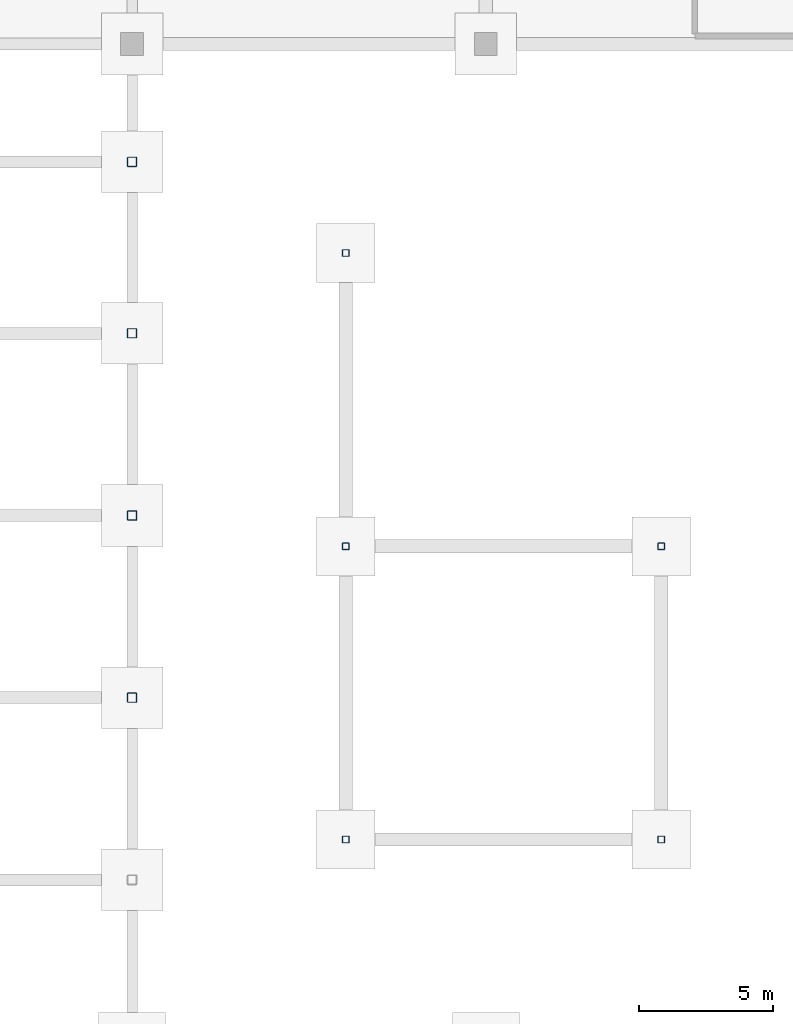
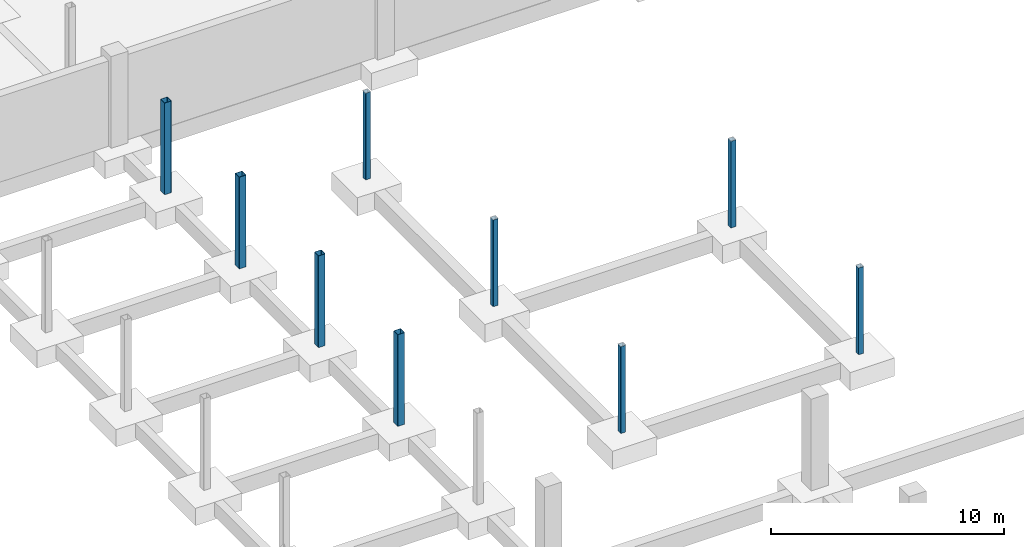
# One storey, part 28 of 44: 9 columns.
"""IFC4 building model written with IfcOpenShell, lengths in metres."""

from ifc_helpers import new_model, si_unit, direction, frame, origin, origin_2d, place, context, subcontext, project, spatial, hollow_rectangle, extrude, material, material_profile, profile_set, type_object, element, save


model = new_model("IFC4")

# Units and contexts
model_context = context("Model", 3, precision=1e-05, world=origin(), true_north=direction((0.0, 1.0)))
body_context = subcontext(model_context, "Body", "Model", "MODEL_VIEW")
ifc_project = project(units=[si_unit("LENGTHUNIT", "METRE"), si_unit("AREAUNIT", "SQUARE_METRE"), si_unit("VOLUMEUNIT", "CUBIC_METRE"), si_unit("PLANEANGLEUNIT", "RADIAN"), si_unit("MASSUNIT", "GRAM", prefix="KILO")], contexts=[model_context])

# Site, building, storey
site_placement = place(None, origin())
site = spatial("IfcSite", under=ifc_project, at=site_placement, CompositionType="ELEMENT")
building_placement = place(site_placement, origin())
building = spatial("IfcBuilding", under=site, at=building_placement, Name="Kisaragi Civic Commons", CompositionType="ELEMENT")
storey_placement = place(building_placement, frame((0.0, 0.0, -4.800048828125)))
storey = spatial("IfcBuildingStorey", under=building, at=storey_placement, Name="B1", CompositionType="ELEMENT", Elevation=-4.800048828125)

# Columns
ifc_material = material(Name="Steel BCR295", Category="steel")
ifc_material_profile_1 = material_profile(ifc_material, hollow_rectangle(XDim=0.35009765625, YDim=0.35009765625, WallThickness=0.011962890625, InnerFilletRadius=0.011962890625, OuterFilletRadius=0.02392578125, at=origin_2d()), Name="BCR-350x350x12", Category="steel")
ifc_profile_set_1 = profile_set([ifc_material_profile_1], Name="Steel BCR295")
column_type_1 = type_object("IfcColumnType", Name="C-13", PredefinedType="COLUMN", material=ifc_profile_set_1)
for number, where, z_axis, x_axis, name in (
    (1, (133.199951171875, 38.0, 0.0), (0.0, 0.0, 1.0), (1.0, 0.0, 0.0), "B1 column C-13 (133.2,38.0)"),
    (2, (133.199951171875, 44.800048828125, 0.0), (0.0, 0.0, 1.0), (1.0, 0.0, 0.0), "B1 column C-13 (133.2,44.8)"),
    (3, (133.199951171875, 51.60009765625, 0.0), (0.0, 0.0, 1.0), (1.0, 0.0, 0.0), "B1 column C-13 (133.2,51.6)"),
    (4, (133.199951171875, 58.0, 0.0), (0.0, 0.0, 1.0), (1.0, 0.0, 0.0), "B1 column C-13 (133.2,58.0)"),
):
    element("IfcColumn", number, at=place(storey_placement, frame(where, z_axis=z_axis, x_axis=x_axis)), inside=storey, type_object=column_type_1, Name=name, PredefinedType="COLUMN", context=body_context, shape_type="SweptSolid", body=[
        extrude(hollow_rectangle(XDim=0.35009765625, YDim=0.35009765625, WallThickness=0.011962890625, InnerFilletRadius=0.011962890625, OuterFilletRadius=0.02392578125, at=origin_2d()), origin(), (0.0, 0.0, 1.0), 4.800048828125),
    ])
ifc_material_profile_2 = material_profile(ifc_material, hollow_rectangle(XDim=0.25, YDim=0.25, WallThickness=0.009033203125, InnerFilletRadius=0.009033203125, OuterFilletRadius=0.01806640625, at=origin_2d()), Name="BCR-250x250x9", Category="steel")
ifc_profile_set_2 = profile_set([ifc_material_profile_2], Name="Steel BCR295")
column_type_2 = type_object("IfcColumnType", Name="C-26", PredefinedType="COLUMN", material=ifc_profile_set_2)
for number, where, z_axis, x_axis, name in (
    (5, (141.174072265625, 32.7060546875, 0.0), (0.0, 0.0, 1.0), (1.0, 0.0, 0.0), "B1 column C-26 (141.2,32.7)"),
    (6, (141.174072265625, 43.64990234375, 0.0), (0.0, 0.0, 1.0), (1.0, 0.0, 0.0), "B1 column C-26 (141.2,43.6)"),
    (7, (141.174072265625, 54.593994140625, 0.0), (0.0, 0.0, 1.0), (1.0, 0.0, 0.0), "B1 column C-26 (141.2,54.6)"),
    (8, (152.949951171875, 32.7060546875, 0.0), (0.0, 0.0, 1.0), (1.0, 0.0, 0.0), "B1 column C-26 (152.9,32.7)"),
    (9, (152.949951171875, 43.64990234375, 0.0), (0.0, 0.0, 1.0), (1.0, 0.0, 0.0), "B1 column C-26 (152.9,43.6)"),
):
    element("IfcColumn", number, at=place(storey_placement, frame(where, z_axis=z_axis, x_axis=x_axis)), inside=storey, type_object=column_type_2, Name=name, PredefinedType="COLUMN", context=body_context, shape_type="SweptSolid", body=[
        extrude(hollow_rectangle(XDim=0.25, YDim=0.25, WallThickness=0.009033203125, InnerFilletRadius=0.009033203125, OuterFilletRadius=0.01806640625, at=origin_2d()), origin(), (0.0, 0.0, 1.0), 4.5390625),
    ])

save(model, "model.ifc")
